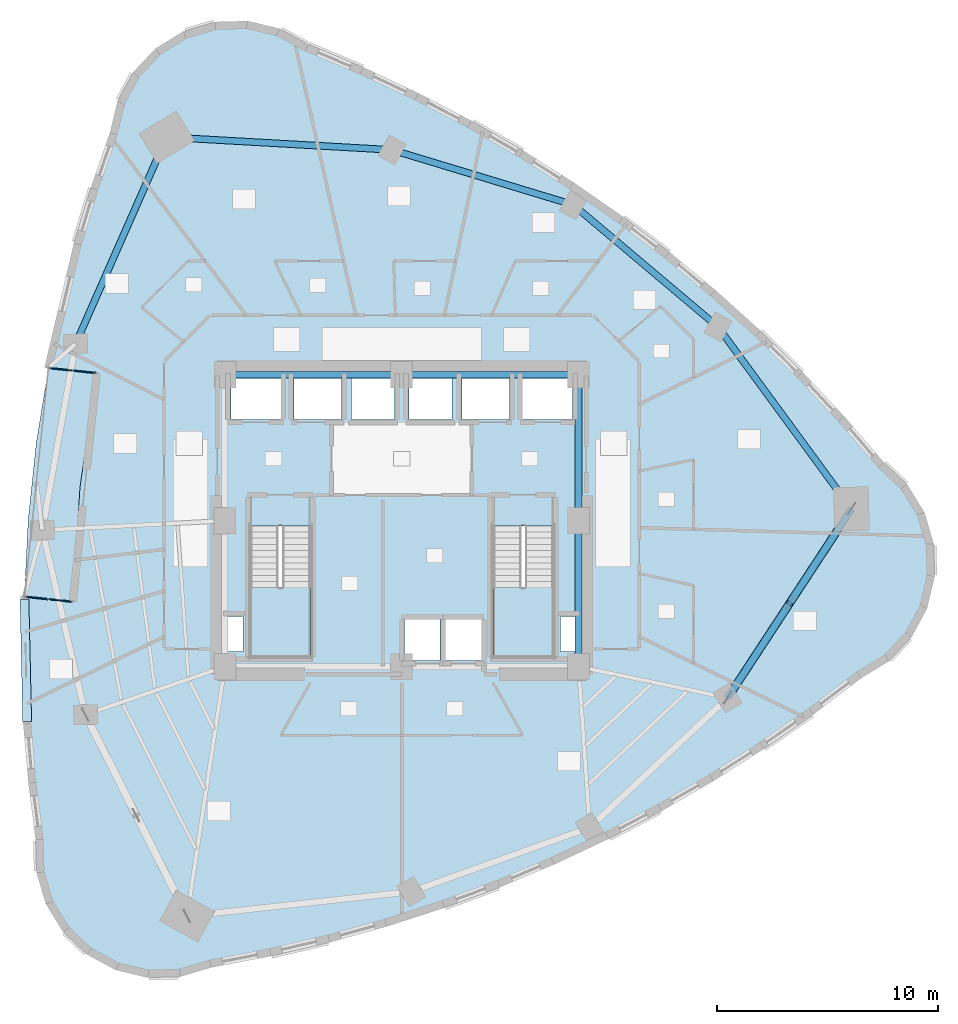
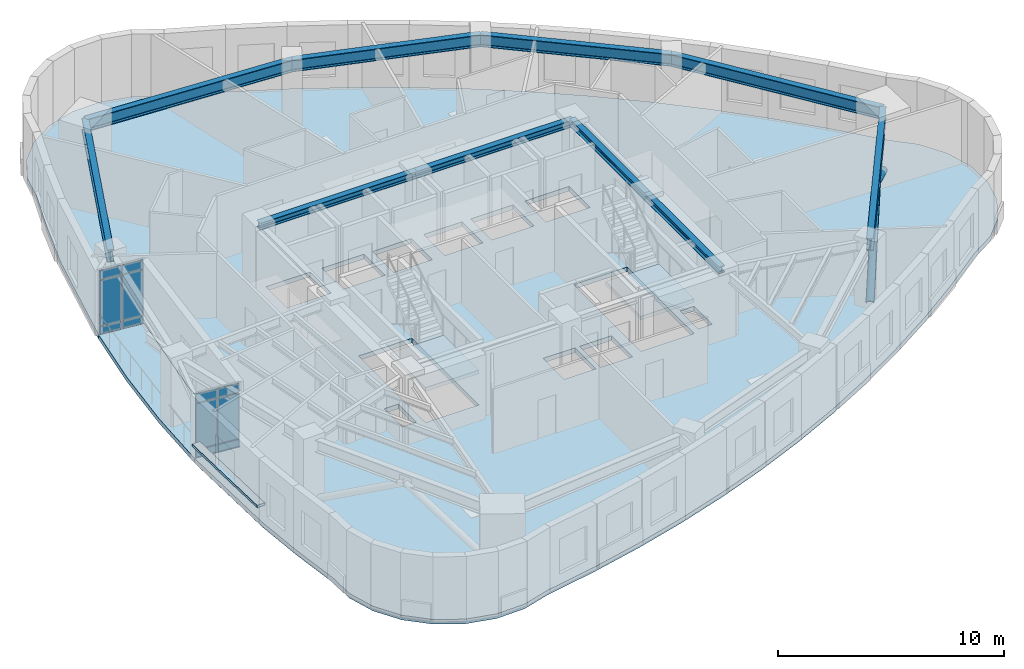
# One storey, part 4 of 12: 13 plates, 10 beams, 4 slabs, 2 members, 4 elements without a shape of their own.
"""IFC4 building model written with IfcOpenShell, lengths in metres."""

from ifc_helpers import new_model, si_unit, direction, frame, origin, origin_2d, place, context, subcontext, project, spatial, polyline, rectangle, hollow_circle, i_section, outline, extrude, material, layer, layer_set, material_profile, profile_set, type_object, element, aggregate, save


model = new_model("IFC4")

# Units and contexts
model_context = context("Model", 3, precision=1e-05, world=origin(), true_north=direction((0.0, 1.0)))
body_context = subcontext(model_context, "Body", "Model", "MODEL_VIEW")
ifc_project = project(units=[si_unit("LENGTHUNIT", "METRE"), si_unit("AREAUNIT", "SQUARE_METRE"), si_unit("VOLUMEUNIT", "CUBIC_METRE"), si_unit("PLANEANGLEUNIT", "RADIAN"), si_unit("MASSUNIT", "GRAM", prefix="KILO")], contexts=[model_context])

# Site, building, storey
site_placement = place(None, origin())
site = spatial("IfcSite", under=ifc_project, at=site_placement, CompositionType="ELEMENT")
building_placement = place(site_placement, origin())
building = spatial("IfcBuilding", under=site, at=building_placement, Name="Ndelora Gate Hotel", CompositionType="ELEMENT")
storey_placement = place(building_placement, frame((0.0, 0.0, 104.75)))
storey = spatial("IfcBuildingStorey", under=building, at=storey_placement, Name="L25", CompositionType="ELEMENT", Elevation=104.75)

# Beams
ifc_material_1 = material(Name="Steel S355", Category="steel")
ifc_material_profile_1 = material_profile(ifc_material_1, i_section(OverallWidth=0.300048828125, OverallDepth=0.360107421875, WebThickness=0.012451171875, FlangeThickness=0.0224609375, FilletRadius=0.027099609375, at=origin_2d()), Name="HEB 360")
ifc_profile_set_1 = profile_set([ifc_material_profile_1], Name="Steel S355")
beam_type_1 = type_object("IfcBeamType", Name="BM-CORE-360", PredefinedType="BEAM", material=ifc_profile_set_1)
for number, where, z_axis, x_axis, name in (
    (1, (-8.0, 6.60009765625, 3.320068359375), (1.0, 0.0, 0.0), (0.0, 1.0, 0.0), "L25 Core Tie Girder CC7-CC6"),
    (2, (0.0, 6.60009765625, 3.320068359375), (1.0, 0.0, 0.0), (0.0, 1.0, 0.0), "L25 Core Tie Girder CC6-CC5"),
):
    element("IfcBeam", number, at=place(storey_placement, frame(where, z_axis=z_axis, x_axis=x_axis)), inside=storey, type_object=beam_type_1, Name=name, PredefinedType="BEAM", context=body_context, shape_type="SweptSolid", body=[
        extrude(i_section(OverallWidth=0.300048828125, OverallDepth=0.360107421875, WebThickness=0.012451171875, FlangeThickness=0.0224609375, FilletRadius=0.027099609375, at=origin_2d()), origin(), (0.0, 0.0, 1.0), 8.0),
    ])
for number, where, z_axis, x_axis, name in (
    (3, (8.0, -6.60009765625, 3.320068359375), (0.0, 1.0, 0.0), (-1.0, 0.0, 0.0), "L25 Core Tie Girder CC3-CC4"),
    (4, (8.0, 0.0, 3.320068359375), (0.0, 1.0, 0.0), (-1.0, 0.0, 0.0), "L25 Core Tie Girder CC4-CC5"),
):
    element("IfcBeam", number, at=place(storey_placement, frame(where, z_axis=z_axis, x_axis=x_axis)), inside=storey, type_object=beam_type_1, Name=name, PredefinedType="BEAM", context=body_context, shape_type="SweptSolid", body=[
        extrude(i_section(OverallWidth=0.300048828125, OverallDepth=0.360107421875, WebThickness=0.012451171875, FlangeThickness=0.0224609375, FilletRadius=0.027099609375, at=origin_2d()), origin(), (0.0, 0.0, 1.0), 6.60009765625),
    ])
ifc_material_profile_2 = material_profile(ifc_material_1, i_section(OverallWidth=0.300048828125, OverallDepth=0.64990234375, WebThickness=0.01611328125, FlangeThickness=0.031005859375, FilletRadius=0.027099609375, at=origin_2d()), Name="HEB 650")
ifc_profile_set_2 = profile_set([ifc_material_profile_2], Name="Steel S355")
beam_type_2 = type_object("IfcBeamType", Name="BM-RING-650", PredefinedType="SPANDREL", material=ifc_profile_set_2)
beam_1_placement = place(storey_placement, frame((-10.63330078125, 17.351806640625, 3.175048828125), z_axis=(-0.402852396707, -0.915264959707, 0.0), x_axis=(0.915264959707, -0.402852396707, 0.0)))
element("IfcBeam", 5, at=beam_1_placement, inside=storey, type_object=beam_type_2, Name="L25 Perimeter Spandrel Girder 1", PredefinedType="SPANDREL", context=body_context, shape_type="SweptSolid", body=[
    extrude(i_section(OverallWidth=0.300048828125, OverallDepth=0.64990234375, WebThickness=0.01611328125, FlangeThickness=0.031005859375, FilletRadius=0.027099609375, at=origin_2d()), origin(), (0.0, 0.0, 1.0), 10.21044921875),
])
for number, where, z_axis, x_axis, name in (
    (6, (14.74658203125, -8.006591796875, 3.175048828125), (0.548194123818, 0.836351123998, 0.0), (-0.836351123998, 0.548194123818, 0.0), "L25 Perimeter Spandrel Girder 8"),
    (7, (20.34375, 0.53271484375, 3.175048828125), (-0.591229932094, 0.806503048597, 0.0), (-0.806503048597, -0.591229932094, 0.0), "L25 Perimeter Spandrel Girder 9"),
):
    element("IfcBeam", number, at=place(storey_placement, frame(where, z_axis=z_axis, x_axis=x_axis)), inside=storey, type_object=beam_type_2, Name=name, PredefinedType="SPANDREL", context=body_context, shape_type="SweptSolid", body=[
        extrude(i_section(OverallWidth=0.300048828125, OverallDepth=0.64990234375, WebThickness=0.01611328125, FlangeThickness=0.031005859375, FilletRadius=0.027099609375, at=origin_2d()), origin(), (0.0, 0.0, 1.0), 10.210205078125),
    ])
beam_2_placement = place(storey_placement, frame((14.30712890625, 8.767333984375, 3.175048828125), z_axis=(-0.76440691948, 0.644734101356, 0.0), x_axis=(-0.644734101356, -0.76440691948, 0.0)))
element("IfcBeam", 8, at=beam_2_placement, inside=storey, type_object=beam_type_2, Name="L25 Perimeter Spandrel Girder 10", PredefinedType="SPANDREL", context=body_context, shape_type="SweptSolid", body=[
    extrude(i_section(OverallWidth=0.300048828125, OverallDepth=0.64990234375, WebThickness=0.01611328125, FlangeThickness=0.031005859375, FilletRadius=0.027099609375, at=origin_2d()), origin(), (0.0, 0.0, 1.0), 8.566162109375),
])
beam_3_placement = place(storey_placement, frame((7.759033203125, 14.290283203125, 3.175048828125), z_axis=(-0.957030396662, 0.289987620192, 0.0), x_axis=(-0.289987620192, -0.957030396662, 0.0)))
element("IfcBeam", 9, at=beam_3_placement, inside=storey, type_object=beam_type_2, Name="L25 Perimeter Spandrel Girder 11", PredefinedType="SPANDREL", context=body_context, shape_type="SweptSolid", body=[
    extrude(i_section(OverallWidth=0.300048828125, OverallDepth=0.64990234375, WebThickness=0.01611328125, FlangeThickness=0.031005859375, FilletRadius=0.027099609375, at=origin_2d()), origin(), (0.0, 0.0, 1.0), 8.56640625),
])
beam_4_placement = place(storey_placement, frame((-0.439208984375, 16.7744140625, 3.175048828125), z_axis=(-0.998399808671, 0.056549288648, 0.0), x_axis=(-0.056549288648, -0.998399808671, 0.0)))
element("IfcBeam", 10, at=beam_4_placement, inside=storey, type_object=beam_type_2, Name="L25 Perimeter Spandrel Girder 12", PredefinedType="SPANDREL", context=body_context, shape_type="SweptSolid", body=[
    extrude(i_section(OverallWidth=0.300048828125, OverallDepth=0.64990234375, WebThickness=0.01611328125, FlangeThickness=0.031005859375, FilletRadius=0.027099609375, at=origin_2d()), origin(), (0.0, 0.0, 1.0), 10.21044921875),
])

# Members
ifc_material_profile_3 = material_profile(ifc_material_1, hollow_circle(Radius=0.177978515625, WallThickness=0.01611328125, at=origin_2d()), Name="CHS 356x16")
ifc_profile_set_3 = profile_set([ifc_material_profile_3], Name="Steel S355")
member_type = type_object("IfcMemberType", Name="MB-TUBE-356", PredefinedType="BRACE", material=ifc_profile_set_3)
member_1_placement = place(storey_placement, frame((14.74658203125, -8.006591796875, 0.02001953125), z_axis=(0.47546124485, 0.725365632901, 0.497776358671), x_axis=(-0.836343937987, 0.548205086982, 0.0)))
element("IfcMember", 11, at=member_1_placement, inside=storey, type_object=member_type, Name="L25 Perimeter Braced-Tube Diagonal 8A", PredefinedType="BRACE", context=body_context, shape_type="SweptSolid", body=[
    extrude(hollow_circle(Radius=0.177978515625, WallThickness=0.01611328125, at=origin_2d()), origin(), (0.0, 0.0, 1.0), 5.885986328125),
])
member_2_placement = place(storey_placement, frame((20.34375, 0.53271484375, 0.02001953125), z_axis=(-0.475446940052, -0.7253852861, 0.497761382497), x_axis=(0.836358309577, -0.548183160997, 0.0)))
element("IfcMember", 12, at=member_2_placement, inside=storey, type_object=member_type, Name="L25 Perimeter Braced-Tube Diagonal 8B", PredefinedType="BRACE", context=body_context, shape_type="SweptSolid", body=[
    extrude(hollow_circle(Radius=0.177978515625, WallThickness=0.01611328125, at=origin_2d()), origin(), (0.0, 0.0, 1.0), 5.88623046875),
])

# Curtain wall, plates
ifc_material_2 = material(Name="Bronze Anodised Unitised Aluminium and Low-E Glass", Category="aluminium")
ifc_layer_1 = layer(ifc_material_2, 0.199951171875)
ifc_layer_set_1 = layer_set([ifc_layer_1], Name="Bronze Anodised Unitised Aluminium and Low-E Glass")
curtain_wall_type = type_object("IfcCurtainWallType", Name="CW-SYS-3", PredefinedType="NOTDEFINED", material=ifc_layer_set_1)
curtain_wall_1_placement = place(storey_placement, origin())
curtain_wall_1 = element("IfcCurtainWall", 13, at=curtain_wall_1_placement, inside=storey, type_object=curtain_wall_type, Name="L25 Sky-Garden Loggia Side Curtain Wall CW3-1", PredefinedType="NOTDEFINED")
ifc_material_3 = material(Name="Solar-Control Low-E Insulated Glazing", Category="glass")
ifc_layer_2 = layer(ifc_material_3, 0.048095703125)
ifc_layer_set_2 = layer_set([ifc_layer_2], Name="Solar-Control Low-E Insulated Glazing")
plate_type_1 = type_object("IfcPlateType", Name="PL-CW-GLZ36", PredefinedType="CURTAIN_PANEL", material=ifc_layer_set_2)
plate_1_placement = place(storey_placement, frame((-14.356201171875, 6.737548828125, 0.05908203125), z_axis=(0.0, 0.0, 1.0), x_axis=(-0.994524614789, 0.10450258647, 0.0)))
plate_1 = element("IfcPlate", 14, at=plate_1_placement, type_object=plate_type_1, Name="CW3 panel 1.1", PredefinedType="CURTAIN_PANEL", context=body_context, shape_type="SweptSolid", body=[
    extrude(rectangle(XDim=1.014404296875, YDim=0.048095703125, at=origin_2d()), origin(), (0.0, 0.0, 1.0), 0.364501953125),
])
plate_2_placement = place(storey_placement, frame((-14.356201171875, 6.737548828125, 0.4765625), z_axis=(0.0, 0.0, 1.0), x_axis=(-0.994524614789, 0.10450258647, 0.0)))
plate_2 = element("IfcPlate", 15, at=plate_2_placement, type_object=plate_type_1, Name="CW3 panel 1.2", PredefinedType="CURTAIN_PANEL", context=body_context, shape_type="SweptSolid", body=[
    extrude(rectangle(XDim=1.014404296875, YDim=0.048095703125, at=origin_2d()), origin(), (0.0, 0.0, 1.0), 2.447021484375),
])
plate_3_placement = place(storey_placement, frame((-14.356201171875, 6.737548828125, 2.9765625), z_axis=(0.0, 0.0, 1.0), x_axis=(-0.994524614789, 0.10450258647, 0.0)))
plate_3 = element("IfcPlate", 16, at=plate_3_placement, type_object=plate_type_1, Name="CW3 panel 1.3", PredefinedType="CURTAIN_PANEL", context=body_context, shape_type="SweptSolid", body=[
    extrude(rectangle(XDim=1.014404296875, YDim=0.048095703125, at=origin_2d()), origin(), (0.0, 0.0, 1.0), 0.464599609375),
])
plate_4_placement = place(storey_placement, frame((-15.41796875, 6.84912109375, 0.05908203125), z_axis=(0.0, 0.0, 1.0), x_axis=(-0.994524614789, 0.10450258647, 0.0)))
plate_4 = element("IfcPlate", 17, at=plate_4_placement, type_object=plate_type_1, Name="CW3 panel 2.1", PredefinedType="CURTAIN_PANEL", context=body_context, shape_type="SweptSolid", body=[
    extrude(rectangle(XDim=1.014404296875, YDim=0.048095703125, at=origin_2d()), origin(), (0.0, 0.0, 1.0), 0.364501953125),
])
plate_5_placement = place(storey_placement, frame((-15.41796875, 6.84912109375, 0.4765625), z_axis=(0.0, 0.0, 1.0), x_axis=(-0.994524614789, 0.10450258647, 0.0)))
plate_5 = element("IfcPlate", 18, at=plate_5_placement, type_object=plate_type_1, Name="CW3 panel 2.2", PredefinedType="CURTAIN_PANEL", context=body_context, shape_type="SweptSolid", body=[
    extrude(rectangle(XDim=1.014404296875, YDim=0.048095703125, at=origin_2d()), origin(), (0.0, 0.0, 1.0), 2.447021484375),
])
plate_6_placement = place(storey_placement, frame((-15.41796875, 6.84912109375, 2.9765625), z_axis=(0.0, 0.0, 1.0), x_axis=(-0.994524614789, 0.10450258647, 0.0)))
plate_6 = element("IfcPlate", 19, at=plate_6_placement, type_object=plate_type_1, Name="CW3 panel 2.3", PredefinedType="CURTAIN_PANEL", context=body_context, shape_type="SweptSolid", body=[
    extrude(rectangle(XDim=1.014404296875, YDim=0.048095703125, at=origin_2d()), origin(), (0.0, 0.0, 1.0), 0.464599609375),
])
aggregate(curtain_wall_1, [plate_1, plate_2, plate_3, plate_4, plate_5, plate_6])

curtain_wall_2_placement = place(storey_placement, origin())
curtain_wall_2 = element("IfcCurtainWall", 20, at=curtain_wall_2_placement, inside=storey, type_object=curtain_wall_type, Name="L25 Sky-Garden Loggia Side Curtain Wall CW3-2", PredefinedType="NOTDEFINED")
plate_7_placement = place(storey_placement, frame((-16.5048828125, -3.493896484375, 0.05908203125), z_axis=(0.0, 0.0, 1.0), x_axis=(0.994519889569, -0.104547545416, 0.0)))
plate_7 = element("IfcPlate", 21, at=plate_7_placement, type_object=plate_type_1, Name="CW3 panel 1.1", PredefinedType="CURTAIN_PANEL", context=body_context, shape_type="SweptSolid", body=[
    extrude(rectangle(XDim=1.014404296875, YDim=0.048095703125, at=origin_2d()), origin(), (0.0, 0.0, 1.0), 0.364501953125),
])
plate_8_placement = place(storey_placement, frame((-16.5048828125, -3.493896484375, 0.4765625), z_axis=(0.0, 0.0, 1.0), x_axis=(0.994519889569, -0.104547545416, 0.0)))
plate_8 = element("IfcPlate", 22, at=plate_8_placement, type_object=plate_type_1, Name="CW3 panel 1.2", PredefinedType="CURTAIN_PANEL", context=body_context, shape_type="SweptSolid", body=[
    extrude(rectangle(XDim=1.014404296875, YDim=0.048095703125, at=origin_2d()), origin(), (0.0, 0.0, 1.0), 2.447021484375),
])
plate_9_placement = place(storey_placement, frame((-16.5048828125, -3.493896484375, 2.9765625), z_axis=(0.0, 0.0, 1.0), x_axis=(0.994519889569, -0.104547545416, 0.0)))
plate_9 = element("IfcPlate", 23, at=plate_9_placement, type_object=plate_type_1, Name="CW3 panel 1.3", PredefinedType="CURTAIN_PANEL", context=body_context, shape_type="SweptSolid", body=[
    extrude(rectangle(XDim=1.014404296875, YDim=0.048095703125, at=origin_2d()), origin(), (0.0, 0.0, 1.0), 0.464599609375),
])
plate_10_placement = place(storey_placement, frame((-15.443359375, -3.60546875, 0.05908203125), z_axis=(0.0, 0.0, 1.0), x_axis=(0.994519889569, -0.104547545416, 0.0)))
plate_10 = element("IfcPlate", 24, at=plate_10_placement, type_object=plate_type_1, Name="CW3 panel 2.1", PredefinedType="CURTAIN_PANEL", context=body_context, shape_type="SweptSolid", body=[
    extrude(rectangle(XDim=1.014404296875, YDim=0.048095703125, at=origin_2d()), origin(), (0.0, 0.0, 1.0), 0.364501953125),
])
plate_11_placement = place(storey_placement, frame((-15.443359375, -3.60546875, 0.4765625), z_axis=(0.0, 0.0, 1.0), x_axis=(0.994519889569, -0.104547545416, 0.0)))
plate_11 = element("IfcPlate", 25, at=plate_11_placement, type_object=plate_type_1, Name="CW3 panel 2.2", PredefinedType="CURTAIN_PANEL", context=body_context, shape_type="SweptSolid", body=[
    extrude(rectangle(XDim=1.014404296875, YDim=0.048095703125, at=origin_2d()), origin(), (0.0, 0.0, 1.0), 2.447021484375),
])
plate_12_placement = place(storey_placement, frame((-15.443359375, -3.60546875, 2.9765625), z_axis=(0.0, 0.0, 1.0), x_axis=(0.994519889569, -0.104547545416, 0.0)))
plate_12 = element("IfcPlate", 26, at=plate_12_placement, type_object=plate_type_1, Name="CW3 panel 2.3", PredefinedType="CURTAIN_PANEL", context=body_context, shape_type="SweptSolid", body=[
    extrude(rectangle(XDim=1.014404296875, YDim=0.048095703125, at=origin_2d()), origin(), (0.0, 0.0, 1.0), 0.464599609375),
])
aggregate(curtain_wall_2, [plate_7, plate_8, plate_9, plate_10, plate_11, plate_12])

# Plate
ifc_material_4 = material(Name="Precast concrete C40/50", Category="concrete")
ifc_layer_3 = layer(ifc_material_4, 0.125)
ifc_layer_set_3 = layer_set([ifc_layer_3], Name="Precast concrete C40/50")
plate_type_2 = type_object("IfcPlateType", Name="PL-SILL-120", PredefinedType="USERDEFINED", material=ifc_layer_set_3)
plate_13_placement = place(storey_placement, frame((-17.0029296875, -6.322509765625, 0.78759765625), z_axis=(0.0, 0.0, 1.0), x_axis=(-0.022512845226, 0.999746553782, 0.0)))
element("IfcPlate", 27, at=plate_13_placement, inside=storey, type_object=plate_type_2, Name="L25 Streamline Precast Ribbon Sill 16", ObjectType="RIBBON_SILL", PredefinedType="USERDEFINED", context=body_context, shape_type="SweptSolid", body=[
    extrude(rectangle(XDim=5.527099609375, YDim=0.39990234375, at=origin_2d()), origin(), (0.0, 0.0, 1.0), 0.125),
])

# Stair, slab
stair_type = type_object("IfcStairType", Name="STR-DOG-CORE", PredefinedType="HALF_TURN_STAIR", material=ifc_material_4)
stair_1_placement = place(storey_placement, origin())
stair_1 = element("IfcStair", 28, at=stair_1_placement, inside=storey, type_object=stair_type, Name="L25 Protected Core Exit Stair ST4", PredefinedType="HALF_TURN_STAIR")
ifc_layer_4 = layer(ifc_material_4, 0.219970703125)
ifc_layer_set_4 = layer_set([ifc_layer_4], Name="Precast concrete C40/50")
slab_type_1 = type_object("IfcSlabType", Name="SL-LAND-220", PredefinedType="LANDING", material=ifc_layer_set_4)
slab_1_placement = place(storey_placement, frame((0.0, 0.0, 1.675048828125)))
slab_1 = element("IfcSlab", 29, at=slab_1_placement, type_object=slab_type_1, Name="ST4 landing 1", PredefinedType="LANDING", context=body_context, shape_type="SweptSolid", body=[
    extrude(outline(polyline([(-6.85009765625, -3.030029296875), (-6.85009765625, -6.14990234375), (-4.1298828125, -6.14990234375), (-4.1298828125, -3.030029296875), (-6.85009765625, -3.030029296875)])), origin(), (0.0, 0.0, 1.0), 0.199951171875),
])
aggregate(stair_1, [slab_1])

stair_2_placement = place(storey_placement, origin())
stair_2 = element("IfcStair", 30, at=stair_2_placement, inside=storey, type_object=stair_type, Name="L25 Protected Core Exit Stair ST5", PredefinedType="HALF_TURN_STAIR")
slab_2_placement = place(storey_placement, frame((0.0, 0.0, 1.675048828125)))
slab_2 = element("IfcSlab", 31, at=slab_2_placement, type_object=slab_type_1, Name="ST5 landing 1", PredefinedType="LANDING", context=body_context, shape_type="SweptSolid", body=[
    extrude(outline(polyline([(4.1298828125, -3.030029296875), (4.1298828125, -6.14990234375), (6.85009765625, -6.14990234375), (6.85009765625, -3.030029296875), (4.1298828125, -3.030029296875)])), origin(), (0.0, 0.0, 1.0), 0.199951171875),
])
aggregate(stair_2, [slab_2])

# Slabs
ifc_layer_5 = layer(ifc_material_4, 0.239990234375)
ifc_layer_set_5 = layer_set([ifc_layer_5], Name="Precast concrete C40/50")
slab_type_2 = type_object("IfcSlabType", Name="SL-TER-240", PredefinedType="FLOOR", material=ifc_layer_set_5)
slab_3_placement = place(storey_placement, frame((0.0, 0.0, -0.239990234375)))
element("IfcSlab", 32, at=slab_3_placement, inside=storey, type_object=slab_type_2, Name="L25 Sky Garden Loggia Terrace Slab", PredefinedType="FLOOR", context=body_context, shape_type="SweptSolid", body=[
    extrude(outline(polyline([(-13.793212890625, 6.678466796875), (-15.98095703125, 6.908203125), (-16.528564453125, 3.514892578125), (-16.898193359375, -0.001708984375), (-17.068115234375, -3.434814453125), (-14.880126953125, -3.664794921875), (-14.550048828125, 1.529296875), (-13.793212890625, 6.678466796875)])), origin(), (0.0, 0.0, 1.0), 0.239990234375),
])
ifc_material_5 = material(Name="Concrete C40/50", Category="concrete")
ifc_layer_6 = layer(ifc_material_5, 0.25)
ifc_layer_set_6 = layer_set([ifc_layer_6], Name="Concrete C40/50")
slab_type_3 = type_object("IfcSlabType", Name="SL-TWR-250", PredefinedType="FLOOR", material=ifc_layer_set_6)
slab_4_placement = place(storey_placement, frame((0.0, 0.0, -0.25)))
element("IfcSlab", 33, at=slab_4_placement, inside=storey, type_object=slab_type_3, Name="L25 Structural Floor Slab", PredefinedType="FLOOR", context=body_context, shape_type="SweptSolid", body=[
    extrude(outline(polyline([(-4.31640625, 21.4052734375), (-5.578125, 22.09033203125), (-6.974365234375, 22.425537109375), (-8.40966796875, 22.387939453125), (-9.7861328125, 21.980224609375), (-11.010498046875, 21.22998046875), (-11.998779296875, 20.1884765625), (-12.683837890625, 18.9267578125), (-13.01904296875, 17.530517578125), (-13.88818359375, 15.035888671875), (-14.652587890625, 12.530517578125), (-15.98095703125, 6.908203125), (-13.793212890625, 6.678466796875), (-14.550048828125, 1.529296875), (-14.880126953125, -3.664794921875), (-17.068115234375, -3.434814453125), (-16.937744140625, -9.210205078125), (-16.710693359375, -11.81982421875), (-16.37939453125, -14.440673828125), (-16.341796875, -15.8759765625), (-15.93408203125, -17.252685546875), (-15.183837890625, -18.476806640625), (-14.142333984375, -19.465087890625), (-12.880615234375, -20.150390625), (-11.484375, -20.485595703125), (-10.049072265625, -20.447998046875), (-8.67236328125, -20.0400390625), (-5.97021484375, -19.522705078125), (-3.314453125, -18.9013671875), (-0.705078125, -18.17578125), (1.858154296875, -17.34619140625), (4.375, -16.41259765625), (6.845458984375, -15.375), (9.26953125, -14.2333984375), (11.6474609375, -12.98779296875), (13.97900390625, -11.637939453125), (16.26416015625, -10.184326171875), (18.503173828125, -8.62646484375), (20.69580078125, -6.964599609375), (21.919921875, -6.21435546875), (22.908203125, -5.1728515625), (23.593505859375, -3.9111328125), (23.928466796875, -2.514892578125), (23.890869140625, -1.07958984375), (23.483154296875, 0.297119140625), (22.73291015625, 1.521240234375), (21.69140625, 2.509521484375), (19.892333984375, 4.5908203125), (18.0263671875, 6.580078125), (16.09326171875, 8.477294921875), (14.09326171875, 10.2822265625), (12.0263671875, 11.9951171875), (9.892578125, 13.615966796875), (7.691650390625, 15.14453125), (5.424072265625, 16.580810546875), (3.08935546875, 17.92529296875), (0.687744140625, 19.177490234375), (-1.78076171875, 20.33740234375), (-4.31640625, 21.4052734375)]), holes=[polyline([(-6.85009765625, -0.22998046875), (-6.85009765625, -6.14990234375), (-4.1298828125, -6.14990234375), (-4.1298828125, -0.22998046875), (-6.85009765625, -0.22998046875)]), polyline([(4.1298828125, -0.22998046875), (4.1298828125, -6.14990234375), (6.85009765625, -6.14990234375), (6.85009765625, -0.22998046875), (4.1298828125, -0.22998046875)]), polyline([(-7.72998046875, 4.570068359375), (-5.469970703125, 4.570068359375), (-5.469970703125, 6.429931640625), (-7.72998046875, 6.429931640625), (-7.72998046875, 4.570068359375)]), polyline([(5.469970703125, 4.570068359375), (7.72998046875, 4.570068359375), (7.72998046875, 6.429931640625), (5.469970703125, 6.429931640625), (5.469970703125, 4.570068359375)]), polyline([(-4.8798828125, 4.570068359375), (-2.719970703125, 4.570068359375), (-2.719970703125, 6.429931640625), (-4.8798828125, 6.429931640625), (-4.8798828125, 4.570068359375)]), polyline([(2.719970703125, 4.570068359375), (4.8798828125, 4.570068359375), (4.8798828125, 6.429931640625), (2.719970703125, 6.429931640625), (2.719970703125, 4.570068359375)]), polyline([(0.1201171875, -6.330078125), (1.739990234375, -6.330078125), (1.739990234375, -4.469970703125), (0.1201171875, -4.469970703125), (0.1201171875, -6.330078125)]), polyline([(1.97998046875, -6.330078125), (3.60009765625, -6.330078125), (3.60009765625, -4.469970703125), (1.97998046875, -4.469970703125), (1.97998046875, -6.330078125)]), polyline([(-2.280029296875, 4.570068359375), (-0.320068359375, 4.570068359375), (-0.320068359375, 6.429931640625), (-2.280029296875, 6.429931640625), (-2.280029296875, 4.570068359375)]), polyline([(0.320068359375, 4.570068359375), (2.280029296875, 4.570068359375), (2.280029296875, 6.429931640625), (0.320068359375, 6.429931640625), (0.320068359375, 4.570068359375)]), polyline([(-7.89990234375, -5.919921875), (-7.179931640625, -5.919921875), (-7.179931640625, -4.320068359375), (-7.89990234375, -4.320068359375), (-7.89990234375, -5.919921875)]), polyline([(7.179931640625, -5.919921875), (7.89990234375, -5.919921875), (7.89990234375, -4.320068359375), (7.179931640625, -4.320068359375), (7.179931640625, -5.919921875)])]), origin(), (0.0, 0.0, 1.0), 0.25),
])

save(model, "model.ifc")
